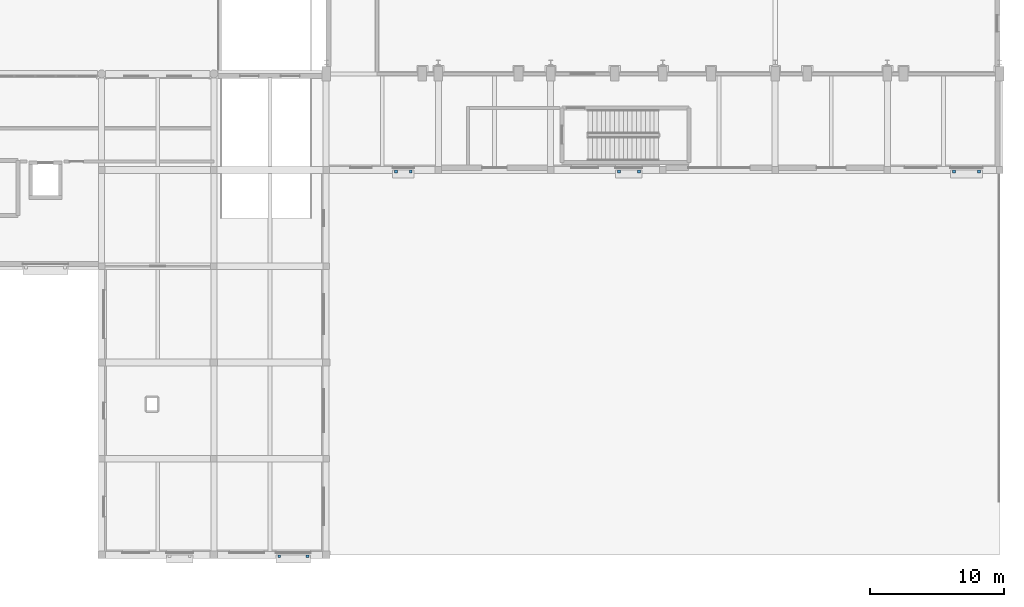
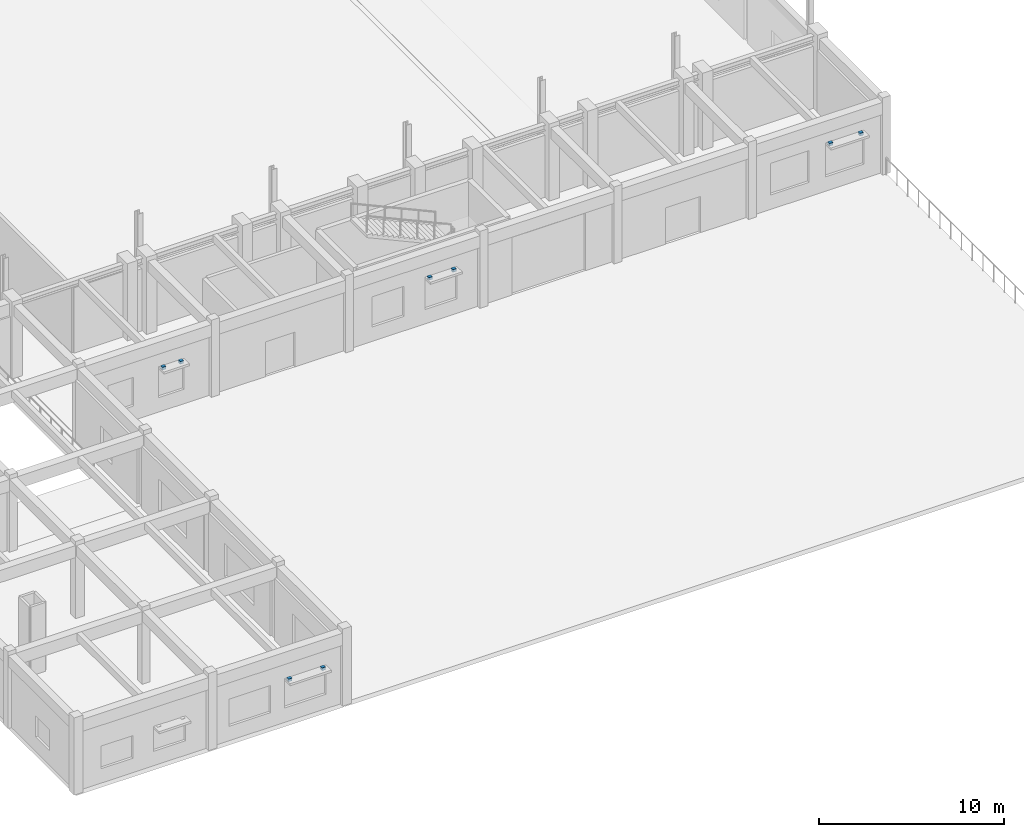
# One storey, part 96 of 121: 8 discrete accessories.
"""IFC4 building model written with IfcOpenShell, lengths in metres."""

import ifcopenshell
import ifcopenshell.guid

model = None  # the IFC model being written
_history = None  # IfcOwnerHistory: only IFC2X3 demands one
_inside = {}  # id of a spatial element -> (the spatial element, [elements in it])
_under = {}  # id of a project, library or spatial element -> (it, [spatial elements below it])
_declared = {}  # id of a project -> (the project, [libraries it declares])
_typed = {}  # id of a type object -> (the type object, [elements of that type])
_made_of = {}  # id of a material, layer set ... -> (it, [elements and type objects made of it])


def new_model(schema):
    """Start an empty IFC model of exactly this schema.

    Asked for "IFC4X3", IfcOpenShell would pick the latest addendum, in which some entities
    have other attributes; the version numbers below select the first issue.
    IFC2X3 requires an IfcOwnerHistory on every rooted entity: one is made here for all.
    """
    global model, _history
    if schema == "IFC4X3":
        model = ifcopenshell.file(schema_version=(4, 3, 0, 0))
    else:
        model = ifcopenshell.file(schema=schema)
    _inside.clear()
    _under.clear()
    _declared.clear()
    _typed.clear()
    _made_of.clear()
    _history = None
    if model.schema == "IFC2X3":
        org = make("IfcOrganization", Name="unknown")
        user = make(
            "IfcPersonAndOrganization",
            ThePerson=make("IfcPerson", FamilyName="unknown"),
            TheOrganization=org,
        )
        app = make(
            "IfcApplication",
            ApplicationDeveloper=org,
            Version="unknown",
            ApplicationFullName="unknown",
            ApplicationIdentifier="unknown",
        )
        _history = make(
            "IfcOwnerHistory",
            OwningUser=user,
            OwningApplication=app,
            ChangeAction="ADDED",
            CreationDate=0,
        )
    return model


def make(cls, **values):
    """One entity of the class cls with the attributes given. An attribute that is None is left unset."""
    return model.create_entity(
        cls, **{name: value for name, value in values.items() if value is not None}
    )


def rooted(cls, **values):
    """An entity with a GlobalId (a new one), such as an element, a storey or a relation."""
    return make(cls, GlobalId=ifcopenshell.guid.new(), OwnerHistory=_history, **values)


def si_unit(unit_type, name, prefix=None):
    """IfcSIUnit, for example si_unit("LENGTHUNIT", "METRE", prefix="MILLI")."""
    return make("IfcSIUnit", UnitType=unit_type, Prefix=prefix, Name=name)


def assignment(units):
    """IfcUnitAssignment: the units of a project."""
    return None if units is None else make("IfcUnitAssignment", Units=units)


def point(xyz):
    """IfcCartesianPoint."""
    return None if xyz is None else make("IfcCartesianPoint", Coordinates=xyz)


def direction(xyz):
    """IfcDirection."""
    return None if xyz is None else make("IfcDirection", DirectionRatios=xyz)


def frame(location, z_axis=None, x_axis=None):
    """IfcAxis2Placement3D, a coordinate frame: its origin and axes. An axis left out is left unset."""
    return make(
        "IfcAxis2Placement3D",
        Location=point(location),
        Axis=direction(z_axis),
        RefDirection=direction(x_axis),
    )


def frame_2d(location, x_axis=None):
    """IfcAxis2Placement2D, a coordinate frame in the plane: its origin and x axis."""
    return make(
        "IfcAxis2Placement2D", Location=point(location), RefDirection=direction(x_axis)
    )


def origin():
    """The frame at (0, 0, 0) with its axes left unset."""
    return frame((0.0, 0.0, 0.0))


def origin_2d():
    """The frame at (0, 0) in the plane with its x axis left unset."""
    return frame_2d((0.0, 0.0))


def place(relative_to, where):
    """IfcLocalPlacement: puts the frame where relative to a parent placement (None: the world)."""
    return make(
        "IfcLocalPlacement", PlacementRelTo=relative_to, RelativePlacement=where
    )


def context(
    kind, dimensions, precision=None, world=None, true_north=None, identifier=None
):
    """IfcGeometricRepresentationContext, for example the 3D "Model" context."""
    return make(
        "IfcGeometricRepresentationContext",
        ContextIdentifier=identifier,
        ContextType=kind,
        CoordinateSpaceDimension=dimensions,
        Precision=precision,
        WorldCoordinateSystem=world,
        TrueNorth=true_north,
    )


def subcontext(parent, identifier, kind, view, scale=None):
    """IfcGeometricRepresentationSubContext, for example "Body" below "Model"."""
    return make(
        "IfcGeometricRepresentationSubContext",
        ContextIdentifier=identifier,
        ContextType=kind,
        ParentContext=parent,
        TargetScale=scale,
        TargetView=view,
    )


def project(units=None, contexts=None):
    """IfcProject with its units and contexts."""
    return rooted(
        "IfcProject",
        Name="project",
        RepresentationContexts=contexts,
        UnitsInContext=assignment(units),
    )


def spatial(cls, under=None, at=None, **own):
    """A site, building, storey or space (cls), placed at a placement, below another one or the project."""
    s = rooted(cls, ObjectPlacement=at, **own)
    if under is not None:
        _under.setdefault(under.id(), (under, []))[1].append(s)
    return s


def profile(cls, at=None, kind="AREA", **sizes):
    """A parametric profile (cls). Its sizes go by their IFC names, for example OverallWidth=200.0."""
    return make(cls, ProfileType=kind, Position=at, **sizes)


def rectangle(**sizes):
    """IfcRectangleProfileDef."""
    return profile("IfcRectangleProfileDef", **sizes)


def extrude(swept, where, along, depth):
    """IfcExtrudedAreaSolid: the profile swept, set in the frame where, extruded along a direction by depth."""
    return make(
        "IfcExtrudedAreaSolid",
        SweptArea=swept,
        Position=where,
        ExtrudedDirection=direction(along),
        Depth=depth,
    )


def shape(context_of_items, identifier, shape_type, items):
    """IfcShapeRepresentation: the items that make up one representation, for example the "Body"."""
    return make(
        "IfcShapeRepresentation",
        ContextOfItems=context_of_items,
        RepresentationIdentifier=identifier,
        RepresentationType=shape_type,
        Items=items,
    )


def material(Name=None, Category=None):
    """IfcMaterial."""
    return make("IfcMaterial", Name=Name, Category=Category)


def made_of(thing, what):
    """Note that an element or type object is made of a material, layer set ...; save() writes the relation."""
    if what is not None:
        _made_of.setdefault(what.id(), (what, []))[1].append(thing)
    return thing


def type_object(cls, material=None, **own):
    """A type object (cls), such as IfcWallType, which elements share."""
    return made_of(rooted(cls, **own), material)


def element(
    cls,
    number,
    at=None,
    inside=None,
    cuts=None,
    type_object=None,
    material=None,
    context=None,
    identifier="Body",
    shape_type=None,
    held_by="IfcProductDefinitionShape",
    body=None,
    shapes=None,
    **own,
):
    """One element of the class cls, such as IfcWall. Its Tag is "e" and its number.

    at: its placement. inside: the storey or other place that contains it. cuts: it is an
    opening in that element (IfcRelVoidsElement). A single representation is given by context,
    identifier, shape_type and body (its items); several are given by shapes. held_by: the class
    of the entity that holds the representations. save() writes the other relations.
    """
    e = rooted(cls, Tag="e%d" % number, ObjectPlacement=at, **own)
    if body is not None:
        shapes = [shape(context, identifier, shape_type, body)]
    if shapes is not None:
        e.Representation = make(held_by, Representations=shapes)
    if inside is not None:
        _inside.setdefault(inside.id(), (inside, []))[1].append(e)
    if cuts is not None:
        rooted(
            "IfcRelVoidsElement", RelatingBuildingElement=cuts, RelatedOpeningElement=e
        )
    if type_object is not None:
        _typed.setdefault(type_object.id(), (type_object, []))[1].append(e)
    return made_of(e, material)


def aggregate(whole, parts):
    """IfcRelAggregates: a whole, such as a stair, and the parts it consists of."""
    return rooted("IfcRelAggregates", RelatingObject=whole, RelatedObjects=parts)


def save(model, path):
    """Write the relations noted so far, then the file.

    IfcRelAggregates (storeys below a building ...), IfcRelContainedInSpatialStructure (elements
    in a storey), IfcRelDefinesByType, IfcRelAssociatesMaterial and IfcRelDeclares: one each for
    every whole, place, type object, material and project.
    """
    for whole, parts in _under.values():
        aggregate(whole, parts)
    for where, things in _inside.values():
        rooted(
            "IfcRelContainedInSpatialStructure",
            RelatedElements=things,
            RelatingStructure=where,
        )
    for kind, things in _typed.values():
        rooted("IfcRelDefinesByType", RelatedObjects=things, RelatingType=kind)
    for what, things in _made_of.values():
        rooted("IfcRelAssociatesMaterial", RelatedObjects=things, RelatingMaterial=what)
    for by, libraries in _declared.values():
        rooted("IfcRelDeclares", RelatingContext=by, RelatedDefinitions=libraries)
    model.write(path)


model = new_model("IFC4")

# Units and contexts
model_context = context("Model", 3, precision=1e-05, world=origin(), true_north=direction((0.0, 1.0)))
body_context = subcontext(model_context, "Body", "Model", "MODEL_VIEW")
ifc_project = project(units=[si_unit("LENGTHUNIT", "METRE"), si_unit("AREAUNIT", "SQUARE_METRE"), si_unit("VOLUMEUNIT", "CUBIC_METRE"), si_unit("PLANEANGLEUNIT", "RADIAN"), si_unit("MASSUNIT", "GRAM", prefix="KILO")], contexts=[model_context])

# Site, building, storey
site_placement = place(None, origin())
site = spatial("IfcSite", under=ifc_project, at=site_placement, CompositionType="ELEMENT")
building_placement = place(site_placement, origin())
building = spatial("IfcBuilding", under=site, at=building_placement, Name="Malvenik Polytechnic", CompositionType="ELEMENT")
storey_placement = place(building_placement, origin())
storey = spatial("IfcBuildingStorey", under=building, at=storey_placement, Name="L00", CompositionType="ELEMENT", Elevation=0.0)

# Discrete accessories
ifc_material = material(Name="Stainless steel 1.4401 thermal-break facade bracket", Category="steel")
discrete_accessory_type = type_object("IfcDiscreteAccessoryType", Name="ARC-ACC-BRACKET", PredefinedType="BRACKET", material=ifc_material)
for number, where, z_axis, x_axis, name in (
    (1, (183.267333984375, 28.699951171875, 3.0400390625), (0.0, 0.0, 1.0), (1.0, 0.0, 0.0), "Sunshade Facade Bracket BK-01 #15.1"),
    (2, (181.3671875, 28.699951171875, 3.0400390625), (0.0, 0.0, 1.0), (1.0, 0.0, 0.0), "Sunshade Facade Bracket BK-01 #15.2"),
    (3, (157.80078125, 28.699951171875, 2.93994140625), (0.0, 0.0, 1.0), (1.0, 0.0, 0.0), "Sunshade Facade Bracket BK-01 #16.1"),
    (4, (156.30078125, 28.699951171875, 2.93994140625), (0.0, 0.0, 1.0), (1.0, 0.0, 0.0), "Sunshade Facade Bracket BK-01 #16.2"),
    (5, (140.73388671875, 28.699951171875, 2.83984375), (0.0, 0.0, 1.0), (1.0, 0.0, 0.0), "Sunshade Facade Bracket BK-01 #17.1"),
    (6, (139.634033203125, 28.699951171875, 2.83984375), (0.0, 0.0, 1.0), (1.0, 0.0, 0.0), "Sunshade Facade Bracket BK-01 #17.2"),
    (7, (132.9921875, -0.10009765625, 2.740234375), (0.0, 0.0, 1.0), (1.0, 0.0, 0.0), "Sunshade Facade Bracket BK-01 #18.1"),
    (8, (130.892333984375, -0.10009765625, 2.740234375), (0.0, 0.0, 1.0), (1.0, 0.0, 0.0), "Sunshade Facade Bracket BK-01 #18.2"),
):
    element("IfcDiscreteAccessory", number, at=place(storey_placement, frame(where, z_axis=z_axis, x_axis=x_axis)), inside=storey, type_object=discrete_accessory_type, Name=name, PredefinedType="BRACKET", context=body_context, shape_type="SweptSolid", body=[
        extrude(rectangle(XDim=0.219970703125, YDim=0.219970703125, at=origin_2d()), origin(), (0.0, 0.0, 1.0), 0.179931640625),
    ])

save(model, "model.ifc")
